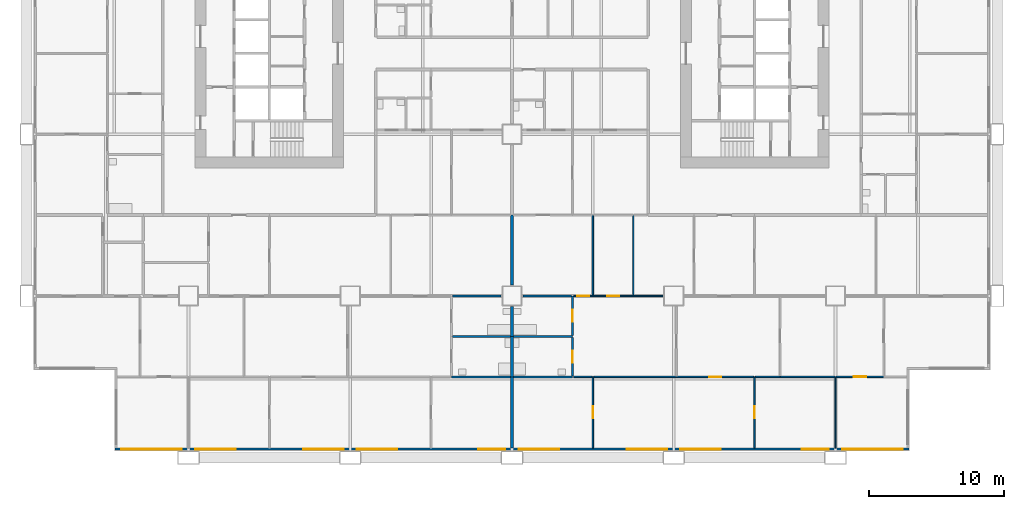
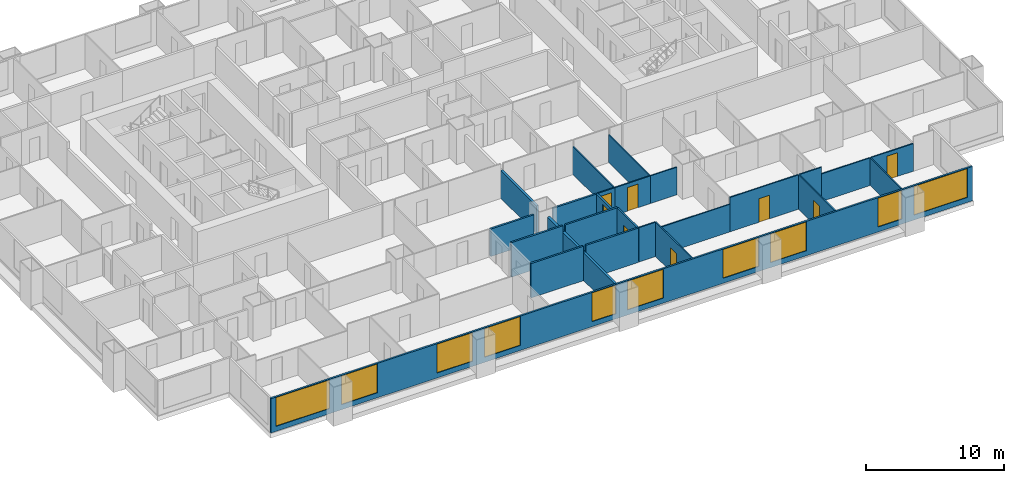
# One storey, part 5 of 14: 27 walls, 10 windows, 8 doors, 18 openings.
"""IFC4 building model written with IfcOpenShell, lengths in metres."""

from ifc_helpers import new_model, si_unit, direction, frame, frame_2d, origin, place, context, subcontext, project, spatial, rectangle, extrude, material, layer, layer_set, type_object, element, fill, save


model = new_model("IFC4")

# Units and contexts
model_context = context("Model", 3, precision=1e-05, world=origin(), true_north=direction((0.0, 1.0)))
body_context = subcontext(model_context, "Body", "Model", "MODEL_VIEW")
ifc_project = project(units=[si_unit("LENGTHUNIT", "METRE"), si_unit("AREAUNIT", "SQUARE_METRE"), si_unit("VOLUMEUNIT", "CUBIC_METRE"), si_unit("PLANEANGLEUNIT", "RADIAN"), si_unit("MASSUNIT", "GRAM", prefix="KILO")], contexts=[model_context])

# Site, building, storey
site_placement = place(None, origin())
site = spatial("IfcSite", under=ifc_project, at=site_placement, CompositionType="ELEMENT")
building_placement = place(site_placement, origin())
building = spatial("IfcBuilding", under=site, at=building_placement, Name="Kitamizu Gate Tower and Museum", CompositionType="ELEMENT")
storey_placement = place(building_placement, frame((0.0, 0.0, 61.050048828125)))
storey = spatial("IfcBuildingStorey", under=building, at=storey_placement, Name="L14", CompositionType="ELEMENT", Elevation=61.050048828125)

# Wall, opening, door
ifc_material_1 = material(Name="Gypsum board on galvanised stud")
ifc_layer_1 = layer(ifc_material_1, 0.10009765625)
ifc_layer_set_1 = layer_set([ifc_layer_1], Name="Gypsum board on galvanised stud")
wall_type_1 = type_object("IfcWallType", Name="Partition 100 NOT RATED", PredefinedType="PARTITIONING", material=ifc_layer_set_1)
wall_1_placement = place(storey_placement, frame((42.0, 0.719970703125, 0.0), z_axis=(0.0, 0.0, 1.0), x_axis=(0.0, 1.0, 0.0)))
wall_1 = element("IfcWall", 1, at=wall_1_placement, inside=storey, type_object=wall_type_1, Name="Partition L14-071", PredefinedType="PARTITIONING", context=body_context, shape_type="SweptSolid", body=[
    extrude(rectangle(XDim=5.280029296875, YDim=0.10009765625, at=frame_2d((2.64013671875, 0.0))), origin(), (0.0, 0.0, 1.0), 3.050048828125),
])
opening_1_placement = place(wall_1_placement, frame((2.18994140625, 0.0, 0.0)))
opening_1 = element("IfcOpeningElement", 2, at=opening_1_placement, cuts=wall_1, Name="Opening L14-032", PredefinedType="OPENING", context=body_context, shape_type="SweptSolid", body=[
    extrude(rectangle(XDim=0.89990234375, YDim=2.10009765625, at=frame_2d((0.449951171875, 1.050048828125))), frame((0.0, 0.06005859375, 0.0), z_axis=(0.0, -1.0, 0.0), x_axis=(1.0, 0.0, 0.0)), (0.0, 0.0, 1.0), 0.1201171875),
])
ifc_material_2 = material(Name="Timber door set", Category="wood")
door_type_1 = type_object("IfcDoorType", Name="Room door 900", OperationType="NOTDEFINED", PredefinedType="DOOR", material=ifc_material_2)
door_1_placement = place(opening_1_placement, origin())
door_1 = element("IfcDoor", 3, at=door_1_placement, inside=storey, type_object=door_type_1, Name="Door L14-032", OperationType="SINGLE_SWING_LEFT", OverallHeight=2.10009765625, OverallWidth=0.89990234375, PredefinedType="DOOR", context=body_context, shape_type="SweptSolid", body=[
    extrude(rectangle(XDim=0.89990234375, YDim=2.10009765625, at=frame_2d((0.449951171875, 1.050048828125))), frame((0.0, 0.02490234375, 0.0), z_axis=(0.0, -1.0, 0.0), x_axis=(1.0, 0.0, 0.0)), (0.0, 0.0, 1.0), 0.050048828125),
])
fill(opening_1, door_1)

# Wall
wall_2_placement = place(storey_placement, frame((41.949951171875, 6.0, 0.0), z_axis=(0.0, 0.0, 1.0), x_axis=(-1.0, 0.0, 0.0)))
element("IfcWall", 4, at=wall_2_placement, inside=storey, type_object=wall_type_1, Name="Partition L14-073", PredefinedType="PARTITIONING", context=body_context, shape_type="SweptSolid", body=[
    extrude(rectangle(XDim=1.375, YDim=0.10009765625, at=frame_2d((0.6875, 0.0))), origin(), (0.0, 0.0, 1.0), 3.050048828125),
])

# Wall, opening, door
wall_3_placement = place(storey_placement, frame((54.0, 0.719970703125, 0.0), z_axis=(0.0, 0.0, 1.0), x_axis=(0.0, 1.0, 0.0)))
wall_3 = element("IfcWall", 5, at=wall_3_placement, inside=storey, type_object=wall_type_1, Name="Partition L14-074", PredefinedType="PARTITIONING", context=body_context, shape_type="SweptSolid", body=[
    extrude(rectangle(XDim=5.280029296875, YDim=0.10009765625, at=frame_2d((2.64013671875, 0.0))), origin(), (0.0, 0.0, 1.0), 3.050048828125),
])
opening_2_placement = place(wall_3_placement, frame((2.18994140625, 0.0, 0.0)))
opening_2 = element("IfcOpeningElement", 6, at=opening_2_placement, cuts=wall_3, Name="Opening L14-033", PredefinedType="OPENING", context=body_context, shape_type="SweptSolid", body=[
    extrude(rectangle(XDim=0.89990234375, YDim=2.10009765625, at=frame_2d((0.449951171875, 1.050048828125))), frame((0.0, 0.06005859375, 0.0), z_axis=(0.0, -1.0, 0.0), x_axis=(1.0, 0.0, 0.0)), (0.0, 0.0, 1.0), 0.1201171875),
])
door_2_placement = place(opening_2_placement, frame((0.89990234375, 0.0, 0.0), x_axis=(-1.0, 0.0, 0.0)))
door_2 = element("IfcDoor", 7, at=door_2_placement, inside=storey, type_object=door_type_1, Name="Door L14-033", OperationType="SINGLE_SWING_LEFT", OverallHeight=2.10009765625, OverallWidth=0.89990234375, PredefinedType="DOOR", context=body_context, shape_type="SweptSolid", body=[
    extrude(rectangle(XDim=0.89990234375, YDim=2.10009765625, at=frame_2d((0.449951171875, 1.050048828125))), frame((0.0, 0.02490234375, 0.0), z_axis=(0.0, -1.0, 0.0), x_axis=(1.0, 0.0, 0.0)), (0.0, 0.0, 1.0), 0.050048828125),
])
fill(opening_2, door_2)

# Wall
wall_4_placement = place(storey_placement, frame((48.195068359375, 6.0, 0.0), z_axis=(0.0, 0.0, 1.0), x_axis=(-1.0, 0.0, 0.0)))
element("IfcWall", 8, at=wall_4_placement, inside=storey, type_object=wall_type_1, Name="Partition L14-075", PredefinedType="PARTITIONING", context=body_context, shape_type="SweptSolid", body=[
    extrude(rectangle(XDim=6.14501953125, YDim=0.10009765625, at=frame_2d((3.072509765625, 0.0))), origin(), (0.0, 0.0, 1.0), 2.449951171875),
])

# Wall, opening, door
wall_5_placement = place(storey_placement, frame((53.949951171875, 6.0, 0.0), z_axis=(0.0, 0.0, 1.0), x_axis=(-1.0, 0.0, 0.0)))
wall_5 = element("IfcWall", 9, at=wall_5_placement, inside=storey, type_object=wall_type_1, Name="Partition L14-076", PredefinedType="PARTITIONING", context=body_context, shape_type="SweptSolid", body=[
    extrude(rectangle(XDim=5.7548828125, YDim=0.10009765625, at=frame_2d((2.87744140625, 0.0))), origin(), (0.0, 0.0, 1.0), 3.050048828125),
])
opening_3_placement = place(wall_5_placement, frame((2.427490234375, 0.0, 0.0)))
opening_3 = element("IfcOpeningElement", 10, at=opening_3_placement, cuts=wall_5, Name="Opening L14-027", PredefinedType="OPENING", context=body_context, shape_type="SweptSolid", body=[
    extrude(rectangle(XDim=0.89990234375, YDim=2.10009765625, at=frame_2d((0.449951171875, 1.050048828125))), frame((0.0, 0.06005859375, 0.0), z_axis=(0.0, -1.0, 0.0), x_axis=(1.0, 0.0, 0.0)), (0.0, 0.0, 1.0), 0.1201171875),
])
door_3_placement = place(opening_3_placement, frame((0.89990234375, 0.0, 0.0), x_axis=(-1.0, 0.0, 0.0)))
door_3 = element("IfcDoor", 11, at=door_3_placement, inside=storey, type_object=door_type_1, Name="Door L14-027", OperationType="SINGLE_SWING_LEFT", OverallHeight=2.10009765625, OverallWidth=0.89990234375, PredefinedType="DOOR", context=body_context, shape_type="SweptSolid", body=[
    extrude(rectangle(XDim=0.89990234375, YDim=2.10009765625, at=frame_2d((0.449951171875, 1.050048828125))), frame((0.0, 0.02490234375, 0.0), z_axis=(0.0, -1.0, 0.0), x_axis=(1.0, 0.0, 0.0)), (0.0, 0.0, 1.0), 0.050048828125),
])
fill(opening_3, door_3)

# Walls
wall_6_placement = place(storey_placement, frame((60.0, 0.719970703125, 0.0), z_axis=(0.0, 0.0, 1.0), x_axis=(0.0, 1.0, 0.0)))
element("IfcWall", 12, at=wall_6_placement, inside=storey, type_object=wall_type_1, Name="Partition L14-077", PredefinedType="PARTITIONING", context=body_context, shape_type="SweptSolid", body=[
    extrude(rectangle(XDim=5.280029296875, YDim=0.10009765625, at=frame_2d((2.64013671875, 0.0))), origin(), (0.0, 0.0, 1.0), 2.449951171875),
])
wall_7_placement = place(storey_placement, frame((55.889892578125, 6.0, 0.0), z_axis=(0.0, 0.0, 1.0), x_axis=(-1.0, 0.0, 0.0)))
element("IfcWall", 13, at=wall_7_placement, inside=storey, type_object=wall_type_1, Name="Partition L14-078", PredefinedType="PARTITIONING", context=body_context, shape_type="SweptSolid", body=[
    extrude(rectangle(XDim=1.83984375, YDim=0.10009765625, at=frame_2d((0.919921875, 0.0))), origin(), (0.0, 0.0, 1.0), 3.050048828125),
])
wall_8_placement = place(storey_placement, frame((59.949951171875, 6.0, 0.0), z_axis=(0.0, 0.0, 1.0), x_axis=(-1.0, 0.0, 0.0)))
element("IfcWall", 14, at=wall_8_placement, inside=storey, type_object=wall_type_1, Name="Partition L14-079", PredefinedType="PARTITIONING", context=body_context, shape_type="SweptSolid", body=[
    extrude(rectangle(XDim=4.06005859375, YDim=0.10009765625, at=frame_2d((2.030029296875, 0.0))), origin(), (0.0, 0.0, 1.0), 2.449951171875),
])

# Wall, opening, door
wall_9_placement = place(storey_placement, frame((63.5849609375, 6.0, 0.0), z_axis=(0.0, 0.0, 1.0), x_axis=(-1.0, 0.0, 0.0)))
wall_9 = element("IfcWall", 15, at=wall_9_placement, inside=storey, type_object=wall_type_1, Name="Partition L14-080", PredefinedType="PARTITIONING", context=body_context, shape_type="SweptSolid", body=[
    extrude(rectangle(XDim=3.534912109375, YDim=0.10009765625, at=frame_2d((1.767578125, 0.0))), origin(), (0.0, 0.0, 1.0), 2.449951171875),
])
opening_4_placement = place(wall_9_placement, frame((1.3173828125, 0.0, 0.0)))
opening_4 = element("IfcOpeningElement", 16, at=opening_4_placement, cuts=wall_9, Name="Opening L14-034", PredefinedType="OPENING", context=body_context, shape_type="SweptSolid", body=[
    extrude(rectangle(XDim=0.89990234375, YDim=2.10009765625, at=frame_2d((0.449951171875, 1.050048828125))), frame((0.0, 0.06005859375, 0.0), z_axis=(0.0, -1.0, 0.0), x_axis=(1.0, 0.0, 0.0)), (0.0, 0.0, 1.0), 0.1201171875),
])
door_4_placement = place(opening_4_placement, origin())
door_4 = element("IfcDoor", 17, at=door_4_placement, inside=storey, type_object=door_type_1, Name="Door L14-034", OperationType="SINGLE_SWING_LEFT", OverallHeight=2.10009765625, OverallWidth=0.89990234375, PredefinedType="DOOR", context=body_context, shape_type="SweptSolid", body=[
    extrude(rectangle(XDim=0.89990234375, YDim=2.10009765625, at=frame_2d((0.449951171875, 1.050048828125))), frame((0.0, 0.02490234375, 0.0), z_axis=(0.0, -1.0, 0.0), x_axis=(1.0, 0.0, 0.0)), (0.0, 0.0, 1.0), 0.050048828125),
])
fill(opening_4, door_4)

wall_10_placement = place(storey_placement, frame((42.0, 12.0, 0.0), z_axis=(0.0, 0.0, 1.0), x_axis=(-1.0, 0.0, 0.0)))
wall_10 = element("IfcWall", 18, at=wall_10_placement, inside=storey, type_object=wall_type_1, Name="Partition L14-087", PredefinedType="PARTITIONING", context=body_context, shape_type="SweptSolid", body=[
    extrude(rectangle(XDim=1.425048828125, YDim=0.10009765625, at=frame_2d((0.71240234375, 0.0))), origin(), (0.0, 0.0, 1.0), 2.449951171875),
])
opening_5_placement = place(wall_10_placement, frame((0.262451171875, 0.0, 0.0)))
opening_5 = element("IfcOpeningElement", 19, at=opening_5_placement, cuts=wall_10, Name="Opening L14-036", PredefinedType="OPENING", context=body_context, shape_type="SweptSolid", body=[
    extrude(rectangle(XDim=0.89990234375, YDim=2.10009765625, at=frame_2d((0.449951171875, 1.050048828125))), frame((0.0, 0.06005859375, 0.0), z_axis=(0.0, -1.0, 0.0), x_axis=(1.0, 0.0, 0.0)), (0.0, 0.0, 1.0), 0.1201171875),
])
door_5_placement = place(opening_5_placement, frame((0.89990234375, 0.0, 0.0), x_axis=(-1.0, 0.0, 0.0)))
door_5 = element("IfcDoor", 20, at=door_5_placement, inside=storey, type_object=door_type_1, Name="Door L14-036", OperationType="SINGLE_SWING_LEFT", OverallHeight=2.10009765625, OverallWidth=0.89990234375, PredefinedType="DOOR", context=body_context, shape_type="SweptSolid", body=[
    extrude(rectangle(XDim=0.89990234375, YDim=2.10009765625, at=frame_2d((0.449951171875, 1.050048828125))), frame((0.0, 0.02490234375, 0.0), z_axis=(0.0, -1.0, 0.0), x_axis=(1.0, 0.0, 0.0)), (0.0, 0.0, 1.0), 0.050048828125),
])
fill(opening_5, door_5)

wall_11_placement = place(storey_placement, frame((45.0, 12.0, 0.0), z_axis=(0.0, 0.0, 1.0), x_axis=(-1.0, 0.0, 0.0)))
wall_11 = element("IfcWall", 21, at=wall_11_placement, inside=storey, type_object=wall_type_1, Name="Partition L14-088", PredefinedType="PARTITIONING", context=body_context, shape_type="SweptSolid", body=[
    extrude(rectangle(XDim=3.0, YDim=0.10009765625, at=frame_2d((1.5, 0.0))), origin(), (0.0, 0.0, 1.0), 2.449951171875),
])
opening_6_placement = place(wall_11_placement, frame((1.050048828125, 0.0, 0.0)))
opening_6 = element("IfcOpeningElement", 22, at=opening_6_placement, cuts=wall_11, Name="Opening L14-037", PredefinedType="OPENING", context=body_context, shape_type="SweptSolid", body=[
    extrude(rectangle(XDim=0.89990234375, YDim=2.10009765625, at=frame_2d((0.449951171875, 1.050048828125))), frame((0.0, 0.06005859375, 0.0), z_axis=(0.0, -1.0, 0.0), x_axis=(1.0, 0.0, 0.0)), (0.0, 0.0, 1.0), 0.1201171875),
])
door_6_placement = place(opening_6_placement, frame((0.89990234375, 0.0, 0.0), x_axis=(-1.0, 0.0, 0.0)))
door_6 = element("IfcDoor", 23, at=door_6_placement, inside=storey, type_object=door_type_1, Name="Door L14-037", OperationType="SINGLE_SWING_LEFT", OverallHeight=2.10009765625, OverallWidth=0.89990234375, PredefinedType="DOOR", context=body_context, shape_type="SweptSolid", body=[
    extrude(rectangle(XDim=0.89990234375, YDim=2.10009765625, at=frame_2d((0.449951171875, 1.050048828125))), frame((0.0, 0.02490234375, 0.0), z_axis=(0.0, -1.0, 0.0), x_axis=(1.0, 0.0, 0.0)), (0.0, 0.0, 1.0), 0.050048828125),
])
fill(opening_6, door_6)

# Walls
wall_12_placement = place(storey_placement, frame((47.199951171875, 12.0, 0.0), z_axis=(0.0, 0.0, 1.0), x_axis=(-1.0, 0.0, 0.0)))
element("IfcWall", 24, at=wall_12_placement, inside=storey, type_object=wall_type_1, Name="Partition L14-089", PredefinedType="PARTITIONING", context=body_context, shape_type="SweptSolid", body=[
    extrude(rectangle(XDim=2.199951171875, YDim=0.10009765625, at=frame_2d((1.10009765625, 0.0))), origin(), (0.0, 0.0, 1.0), 2.449951171875),
])
for number, where, z_axis, x_axis, name in (
    (25, (42.0, 12.050048828125, 0.0), (0.0, 0.0, 1.0), (0.0, 1.0, 0.0), "Partition L14-099"),
    (26, (45.0, 12.050048828125, 0.0), (0.0, 0.0, 1.0), (0.0, 1.0, 0.0), "Partition L14-102"),
):
    element("IfcWall", number, at=place(storey_placement, frame(where, z_axis=z_axis, x_axis=x_axis)), inside=storey, type_object=wall_type_1, Name=name, PredefinedType="PARTITIONING", context=body_context, shape_type="SweptSolid", body=[
        extrude(rectangle(XDim=5.949951171875, YDim=0.10009765625, at=frame_2d((2.97509765625, 0.0))), origin(), (0.0, 0.0, 1.0), 2.449951171875),
    ])
ifc_material_3 = material(Name="Gypsum board on galvanised stud")
ifc_layer_2 = layer(ifc_material_3, 0.14990234375)
ifc_layer_set_2 = layer_set([ifc_layer_2], Name="Gypsum board on galvanised stud")
wall_type_2 = type_object("IfcWallType", Name="Partition 150", PredefinedType="PARTITIONING", material=ifc_layer_set_2)
wall_13_placement = place(storey_placement, frame((35.89990234375, 6.0, 0.0), z_axis=(0.0, 0.0, 1.0), x_axis=(-1.0, 0.0, 0.0)))
element("IfcWall", 27, at=wall_13_placement, inside=storey, type_object=wall_type_2, Name="Partition L14-011", PredefinedType="PARTITIONING", context=body_context, shape_type="SweptSolid", body=[
    extrude(rectangle(XDim=4.39990234375, YDim=0.14990234375, at=frame_2d((2.199951171875, 0.0))), origin(), (0.0, 0.0, 1.0), 3.050048828125),
])
wall_14_placement = place(storey_placement, frame((35.89990234375, 9.0, 0.0), z_axis=(0.0, 0.0, 1.0), x_axis=(-1.0, 0.0, 0.0)))
element("IfcWall", 28, at=wall_14_placement, inside=storey, type_object=wall_type_2, Name="Partition L14-027", PredefinedType="PARTITIONING", context=body_context, shape_type="SweptSolid", body=[
    extrude(rectangle(XDim=4.324951171875, YDim=0.14990234375, at=frame_2d((2.16259765625, 0.0))), origin(), (0.0, 0.0, 1.0), 3.050048828125),
])
wall_15_placement = place(storey_placement, frame((35.199951171875, 12.0, 0.0), z_axis=(0.0, 0.0, 1.0), x_axis=(-1.0, 0.0, 0.0)))
element("IfcWall", 29, at=wall_15_placement, inside=storey, type_object=wall_type_2, Name="Partition L14-029", PredefinedType="PARTITIONING", context=body_context, shape_type="SweptSolid", body=[
    extrude(rectangle(XDim=3.625, YDim=0.14990234375, at=frame_2d((1.8125, 0.0))), origin(), (0.0, 0.0, 1.0), 2.449951171875),
])
for number, where, z_axis, x_axis, name in (
    (30, (40.5, 6.0, 0.0), (0.0, 0.0, 1.0), (-1.0, 0.0, 0.0), "Partition L14-072"),
    (31, (40.5, 9.0, 0.0), (0.0, 0.0, 1.0), (-1.0, 0.0, 0.0), "Partition L14-082"),
):
    element("IfcWall", number, at=place(storey_placement, frame(where, z_axis=z_axis, x_axis=x_axis)), inside=storey, type_object=wall_type_2, Name=name, PredefinedType="PARTITIONING", context=body_context, shape_type="SweptSolid", body=[
        extrude(rectangle(XDim=4.39990234375, YDim=0.14990234375, at=frame_2d((2.199951171875, 0.0))), origin(), (0.0, 0.0, 1.0), 3.050048828125),
    ])

# Wall, opening, door
wall_16_placement = place(storey_placement, frame((40.5, 6.074951171875, 0.0), z_axis=(0.0, 0.0, 1.0), x_axis=(0.0, 1.0, 0.0)))
wall_16 = element("IfcWall", 32, at=wall_16_placement, inside=storey, type_object=wall_type_2, Name="Partition L14-083", PredefinedType="PARTITIONING", context=body_context, shape_type="SweptSolid", body=[
    extrude(rectangle(XDim=2.85009765625, YDim=0.14990234375, at=frame_2d((1.425048828125, 0.0))), origin(), (0.0, 0.0, 1.0), 3.050048828125),
])
opening_7_placement = place(wall_16_placement, frame((0.97509765625, 0.0, 0.0)))
opening_7 = element("IfcOpeningElement", 33, at=opening_7_placement, cuts=wall_16, Name="Opening L14-031", PredefinedType="OPENING", context=body_context, shape_type="SweptSolid", body=[
    extrude(rectangle(XDim=0.89990234375, YDim=2.10009765625, at=frame_2d((0.449951171875, 1.050048828125))), frame((0.0, 0.0849609375, 0.0), z_axis=(0.0, -1.0, 0.0), x_axis=(1.0, 0.0, 0.0)), (0.0, 0.0, 1.0), 0.169921875),
])
ifc_material_4 = material(Name="Timber door set", Category="wood")
door_type_2 = type_object("IfcDoorType", Name="Bathroom door 900", OperationType="NOTDEFINED", PredefinedType="DOOR", material=ifc_material_4)
door_7_placement = place(opening_7_placement, origin())
door_7 = element("IfcDoor", 34, at=door_7_placement, inside=storey, type_object=door_type_2, Name="Bathroom door L14-031", OperationType="SINGLE_SWING_RIGHT", OverallHeight=2.10009765625, OverallWidth=0.89990234375, PredefinedType="DOOR", context=body_context, shape_type="SweptSolid", body=[
    extrude(rectangle(XDim=0.89990234375, YDim=2.10009765625, at=frame_2d((0.449951171875, 1.050048828125))), frame((0.0, 0.02490234375, 0.0), z_axis=(0.0, -1.0, 0.0), x_axis=(1.0, 0.0, 0.0)), (0.0, 0.0, 1.0), 0.050048828125),
])
fill(opening_7, door_7)

wall_17_placement = place(storey_placement, frame((40.5, 9.074951171875, 0.0), z_axis=(0.0, 0.0, 1.0), x_axis=(0.0, 1.0, 0.0)))
wall_17 = element("IfcWall", 35, at=wall_17_placement, inside=storey, type_object=wall_type_2, Name="Partition L14-084", PredefinedType="PARTITIONING", context=body_context, shape_type="SweptSolid", body=[
    extrude(rectangle(XDim=2.925048828125, YDim=0.14990234375, at=frame_2d((1.46240234375, 0.0))), origin(), (0.0, 0.0, 1.0), 2.449951171875),
])
opening_8_placement = place(wall_17_placement, frame((1.012451171875, 0.0, 0.0)))
opening_8 = element("IfcOpeningElement", 36, at=opening_8_placement, cuts=wall_17, Name="Opening L14-035", PredefinedType="OPENING", context=body_context, shape_type="SweptSolid", body=[
    extrude(rectangle(XDim=0.89990234375, YDim=2.10009765625, at=frame_2d((0.449951171875, 1.050048828125))), frame((0.0, 0.0849609375, 0.0), z_axis=(0.0, -1.0, 0.0), x_axis=(1.0, 0.0, 0.0)), (0.0, 0.0, 1.0), 0.169921875),
])
door_8_placement = place(opening_8_placement, origin())
door_8 = element("IfcDoor", 37, at=door_8_placement, inside=storey, type_object=door_type_2, Name="Bathroom door L14-035", OperationType="SINGLE_SWING_LEFT", OverallHeight=2.10009765625, OverallWidth=0.89990234375, PredefinedType="DOOR", context=body_context, shape_type="SweptSolid", body=[
    extrude(rectangle(XDim=0.89990234375, YDim=2.10009765625, at=frame_2d((0.449951171875, 1.050048828125))), frame((0.0, 0.02490234375, 0.0), z_axis=(0.0, -1.0, 0.0), x_axis=(1.0, 0.0, 0.0)), (0.0, 0.0, 1.0), 0.050048828125),
])
fill(opening_8, door_8)

# Walls
wall_18_placement = place(storey_placement, frame((40.425048828125, 12.0, 0.0), z_axis=(0.0, 0.0, 1.0), x_axis=(-1.0, 0.0, 0.0)))
element("IfcWall", 38, at=wall_18_placement, inside=storey, type_object=wall_type_2, Name="Partition L14-085", PredefinedType="PARTITIONING", context=body_context, shape_type="SweptSolid", body=[
    extrude(rectangle(XDim=3.625, YDim=0.14990234375, at=frame_2d((1.8125, 0.0))), origin(), (0.0, 0.0, 1.0), 2.449951171875),
])
ifc_material_5 = material(Name="Gypsum board on galvanised stud")
ifc_layer_3 = layer(ifc_material_5, 0.199951171875)
ifc_layer_set_3 = layer_set([ifc_layer_3], Name="Gypsum board on galvanised stud")
wall_type_3 = type_object("IfcWallType", Name="Partition 200", PredefinedType="PARTITIONING", material=ifc_layer_set_3)
wall_19_placement = place(storey_placement, frame((36.0, 0.719970703125, 0.0), z_axis=(0.0, 0.0, 1.0), x_axis=(0.0, 1.0, 0.0)))
element("IfcWall", 39, at=wall_19_placement, inside=storey, type_object=wall_type_3, Name="Partition L14-012", PredefinedType="PARTITIONING", context=body_context, shape_type="SweptSolid", body=[
    extrude(rectangle(XDim=5.280029296875, YDim=0.199951171875, at=frame_2d((2.64013671875, 0.0))), origin(), (0.0, 0.0, 1.0), 2.449951171875),
])
wall_20_placement = place(storey_placement, frame((36.0, 6.0, 0.0), z_axis=(0.0, 0.0, 1.0), x_axis=(0.0, 1.0, 0.0)))
element("IfcWall", 40, at=wall_20_placement, inside=storey, type_object=wall_type_3, Name="Partition L14-028", PredefinedType="PARTITIONING", context=body_context, shape_type="SweptSolid", body=[
    extrude(rectangle(XDim=3.0, YDim=0.199951171875, at=frame_2d((1.5, 0.0))), origin(), (0.0, 0.0, 1.0), 2.449951171875),
])
wall_21_placement = place(storey_placement, frame((36.0, 9.0, 0.0), z_axis=(0.0, 0.0, 1.0), x_axis=(0.0, 1.0, 0.0)))
element("IfcWall", 41, at=wall_21_placement, inside=storey, type_object=wall_type_3, Name="Partition L14-030", PredefinedType="PARTITIONING", context=body_context, shape_type="SweptSolid", body=[
    extrude(rectangle(XDim=2.199951171875, YDim=0.199951171875, at=frame_2d((1.10009765625, 0.0))), origin(), (0.0, 0.0, 1.0), 2.449951171875),
])
wall_22_placement = place(storey_placement, frame((36.0, 12.800048828125, 0.0), z_axis=(0.0, 0.0, 1.0), x_axis=(0.0, 1.0, 0.0)))
element("IfcWall", 42, at=wall_22_placement, inside=storey, type_object=wall_type_3, Name="Partition L14-051", PredefinedType="PARTITIONING", context=body_context, shape_type="SweptSolid", body=[
    extrude(rectangle(XDim=5.199951171875, YDim=0.199951171875, at=frame_2d((2.60009765625, 0.0))), origin(), (0.0, 0.0, 1.0), 2.449951171875),
])

# Wall, openings, windows
ifc_material_6 = material(Name="Bronze anodised aluminium frame with insulated spandrel and tinted glass", Category="aluminium")
ifc_layer_4 = layer(ifc_material_6, 0.14990234375)
ifc_layer_set_4 = layer_set([ifc_layer_4], Name="Bronze anodised aluminium frame with insulated spandrel and tinted glass")
wall_type_4 = type_object("IfcWallType", Name="WINDOW WALL 150 BRONZE FRAME EI 30", PredefinedType="ELEMENTEDWALL", material=ifc_layer_set_4)
wall_23_placement = place(storey_placement, frame((6.56005859375, 0.635009765625, 0.0), z_axis=(0.0, 0.0, 1.0), x_axis=(1.0, 0.0, 0.0)))
wall_23 = element("IfcWall", 43, at=wall_23_placement, inside=storey, type_object=wall_type_4, Name="Window wall south L14", PredefinedType="ELEMENTEDWALL", context=body_context, shape_type="SweptSolid", body=[
    extrude(rectangle(XDim=58.8798828125, YDim=0.14990234375, at=frame_2d((29.43994140625, 0.0))), origin(), (0.0, 0.0, 1.0), 3.050048828125),
])
opening_9_placement = place(wall_23_placement, frame((0.43994140625, 0.0, 0.449951171875)))
opening_9 = element("IfcOpeningElement", 44, at=opening_9_placement, cuts=wall_23, Name="Opening W15", PredefinedType="OPENING", context=body_context, shape_type="SweptSolid", body=[
    extrude(rectangle(XDim=4.5, YDim=2.550048828125, at=frame_2d((2.25, 1.27490234375))), frame((0.0, 0.0849609375, 0.0), z_axis=(0.0, -1.0, 0.0), x_axis=(1.0, 0.0, 0.0)), (0.0, 0.0, 1.0), 0.169921875),
])
opening_10_placement = place(wall_23_placement, frame((5.93994140625, 0.0, 0.449951171875)))
opening_10 = element("IfcOpeningElement", 45, at=opening_10_placement, cuts=wall_23, Name="Opening W33", PredefinedType="OPENING", context=body_context, shape_type="SweptSolid", body=[
    extrude(rectangle(XDim=3.0, YDim=2.550048828125, at=frame_2d((1.5, 1.27490234375))), frame((0.0, 0.0849609375, 0.0), z_axis=(0.0, -1.0, 0.0), x_axis=(1.0, 0.0, 0.0)), (0.0, 0.0, 1.0), 0.169921875),
])
opening_11_placement = place(wall_23_placement, frame((13.93994140625, 0.0, 0.449951171875)))
opening_11 = element("IfcOpeningElement", 46, at=opening_11_placement, cuts=wall_23, Name="Opening W33", PredefinedType="OPENING", context=body_context, shape_type="SweptSolid", body=[
    extrude(rectangle(XDim=3.0, YDim=2.550048828125, at=frame_2d((1.5, 1.27490234375))), frame((0.0, 0.0849609375, 0.0), z_axis=(0.0, -1.0, 0.0), x_axis=(1.0, 0.0, 0.0)), (0.0, 0.0, 1.0), 0.169921875),
])
opening_12_placement = place(wall_23_placement, frame((17.93994140625, 0.0, 0.449951171875)))
opening_12 = element("IfcOpeningElement", 47, at=opening_12_placement, cuts=wall_23, Name="Opening W33", PredefinedType="OPENING", context=body_context, shape_type="SweptSolid", body=[
    extrude(rectangle(XDim=3.0, YDim=2.550048828125, at=frame_2d((1.5, 1.27490234375))), frame((0.0, 0.0849609375, 0.0), z_axis=(0.0, -1.0, 0.0), x_axis=(1.0, 0.0, 0.0)), (0.0, 0.0, 1.0), 0.169921875),
])
opening_13_placement = place(wall_23_placement, frame((26.93994140625, 0.0, 0.449951171875)))
opening_13 = element("IfcOpeningElement", 48, at=opening_13_placement, cuts=wall_23, Name="Opening W2", PredefinedType="OPENING", context=body_context, shape_type="SweptSolid", body=[
    extrude(rectangle(XDim=2.0, YDim=2.550048828125, at=frame_2d((1.0, 1.27490234375))), frame((0.0, 0.0849609375, 0.0), z_axis=(0.0, -1.0, 0.0), x_axis=(1.0, 0.0, 0.0)), (0.0, 0.0, 1.0), 0.169921875),
])
opening_14_placement = place(wall_23_placement, frame((29.93994140625, 0.0, 0.449951171875)))
opening_14 = element("IfcOpeningElement", 49, at=opening_14_placement, cuts=wall_23, Name="Opening W33", PredefinedType="OPENING", context=body_context, shape_type="SweptSolid", body=[
    extrude(rectangle(XDim=3.0, YDim=2.550048828125, at=frame_2d((1.5, 1.27490234375))), frame((0.0, 0.0849609375, 0.0), z_axis=(0.0, -1.0, 0.0), x_axis=(1.0, 0.0, 0.0)), (0.0, 0.0, 1.0), 0.169921875),
])
opening_15_placement = place(wall_23_placement, frame((37.93994140625, 0.0, 0.449951171875)))
opening_15 = element("IfcOpeningElement", 50, at=opening_15_placement, cuts=wall_23, Name="Opening W33", PredefinedType="OPENING", context=body_context, shape_type="SweptSolid", body=[
    extrude(rectangle(XDim=3.0, YDim=2.550048828125, at=frame_2d((1.5, 1.27490234375))), frame((0.0, 0.0849609375, 0.0), z_axis=(0.0, -1.0, 0.0), x_axis=(1.0, 0.0, 0.0)), (0.0, 0.0, 1.0), 0.169921875),
])
opening_16_placement = place(wall_23_placement, frame((41.93994140625, 0.0, 0.449951171875)))
opening_16 = element("IfcOpeningElement", 51, at=opening_16_placement, cuts=wall_23, Name="Opening W33", PredefinedType="OPENING", context=body_context, shape_type="SweptSolid", body=[
    extrude(rectangle(XDim=3.0, YDim=2.550048828125, at=frame_2d((1.5, 1.27490234375))), frame((0.0, 0.0849609375, 0.0), z_axis=(0.0, -1.0, 0.0), x_axis=(1.0, 0.0, 0.0)), (0.0, 0.0, 1.0), 0.169921875),
])
opening_17_placement = place(wall_23_placement, frame((50.93994140625, 0.0, 0.449951171875)))
opening_17 = element("IfcOpeningElement", 52, at=opening_17_placement, cuts=wall_23, Name="Opening W2", PredefinedType="OPENING", context=body_context, shape_type="SweptSolid", body=[
    extrude(rectangle(XDim=2.0, YDim=2.550048828125, at=frame_2d((1.0, 1.27490234375))), frame((0.0, 0.0849609375, 0.0), z_axis=(0.0, -1.0, 0.0), x_axis=(1.0, 0.0, 0.0)), (0.0, 0.0, 1.0), 0.169921875),
])
opening_18_placement = place(wall_23_placement, frame((53.93994140625, 0.0, 0.449951171875)))
opening_18 = element("IfcOpeningElement", 53, at=opening_18_placement, cuts=wall_23, Name="Opening W15", PredefinedType="OPENING", context=body_context, shape_type="SweptSolid", body=[
    extrude(rectangle(XDim=4.5, YDim=2.550048828125, at=frame_2d((2.25, 1.27490234375))), frame((0.0, 0.0849609375, 0.0), z_axis=(0.0, -1.0, 0.0), x_axis=(1.0, 0.0, 0.0)), (0.0, 0.0, 1.0), 0.169921875),
])
ifc_material_7 = material(Name="Bronze anodised aluminium frame, tinted triple glazing", Category="aluminium")
window_type_1 = type_object("IfcWindowType", Name="WINDOW 2000 x 2550 SILL 450", PartitioningType="SINGLE_PANEL", PredefinedType="WINDOW", material=ifc_material_7)
window_1_placement = place(opening_13_placement, origin())
window_1 = element("IfcWindow", 54, at=window_1_placement, inside=storey, type_object=window_type_1, Name="Window W2 L14", OverallHeight=2.550048828125, OverallWidth=2.0, PartitioningType="SINGLE_PANEL", PredefinedType="WINDOW", context=body_context, shape_type="SweptSolid", body=[
    extrude(rectangle(XDim=2.0, YDim=2.550048828125, at=frame_2d((1.0, 1.27490234375))), frame((0.0, 0.030029296875, 0.0), z_axis=(0.0, -1.0, 0.0), x_axis=(1.0, 0.0, 0.0)), (0.0, 0.0, 1.0), 0.06005859375),
])
fill(opening_13, window_1)
window_2_placement = place(opening_17_placement, origin())
window_2 = element("IfcWindow", 55, at=window_2_placement, inside=storey, type_object=window_type_1, Name="Window W2 L14", OverallHeight=2.550048828125, OverallWidth=2.0, PartitioningType="SINGLE_PANEL", PredefinedType="WINDOW", context=body_context, shape_type="SweptSolid", body=[
    extrude(rectangle(XDim=2.0, YDim=2.550048828125, at=frame_2d((1.0, 1.27490234375))), frame((0.0, 0.030029296875, 0.0), z_axis=(0.0, -1.0, 0.0), x_axis=(1.0, 0.0, 0.0)), (0.0, 0.0, 1.0), 0.06005859375),
])
fill(opening_17, window_2)
ifc_material_8 = material(Name="Bronze anodised aluminium frame, tinted triple glazing", Category="aluminium")
window_type_2 = type_object("IfcWindowType", Name="WINDOW 3000 x 2550 SILL 450", PartitioningType="SINGLE_PANEL", PredefinedType="WINDOW", material=ifc_material_8)
window_3_placement = place(opening_10_placement, origin())
window_3 = element("IfcWindow", 56, at=window_3_placement, inside=storey, type_object=window_type_2, Name="Window W33 L14", OverallHeight=2.550048828125, OverallWidth=3.0, PartitioningType="SINGLE_PANEL", PredefinedType="WINDOW", context=body_context, shape_type="SweptSolid", body=[
    extrude(rectangle(XDim=3.0, YDim=2.550048828125, at=frame_2d((1.5, 1.27490234375))), frame((0.0, 0.030029296875, 0.0), z_axis=(0.0, -1.0, 0.0), x_axis=(1.0, 0.0, 0.0)), (0.0, 0.0, 1.0), 0.06005859375),
])
fill(opening_10, window_3)
window_4_placement = place(opening_11_placement, origin())
window_4 = element("IfcWindow", 57, at=window_4_placement, inside=storey, type_object=window_type_2, Name="Window W33 L14", OverallHeight=2.550048828125, OverallWidth=3.0, PartitioningType="SINGLE_PANEL", PredefinedType="WINDOW", context=body_context, shape_type="SweptSolid", body=[
    extrude(rectangle(XDim=3.0, YDim=2.550048828125, at=frame_2d((1.5, 1.27490234375))), frame((0.0, 0.030029296875, 0.0), z_axis=(0.0, -1.0, 0.0), x_axis=(1.0, 0.0, 0.0)), (0.0, 0.0, 1.0), 0.06005859375),
])
fill(opening_11, window_4)
window_5_placement = place(opening_12_placement, origin())
window_5 = element("IfcWindow", 58, at=window_5_placement, inside=storey, type_object=window_type_2, Name="Window W33 L14", OverallHeight=2.550048828125, OverallWidth=3.0, PartitioningType="SINGLE_PANEL", PredefinedType="WINDOW", context=body_context, shape_type="SweptSolid", body=[
    extrude(rectangle(XDim=3.0, YDim=2.550048828125, at=frame_2d((1.5, 1.27490234375))), frame((0.0, 0.030029296875, 0.0), z_axis=(0.0, -1.0, 0.0), x_axis=(1.0, 0.0, 0.0)), (0.0, 0.0, 1.0), 0.06005859375),
])
fill(opening_12, window_5)
window_6_placement = place(opening_14_placement, origin())
window_6 = element("IfcWindow", 59, at=window_6_placement, inside=storey, type_object=window_type_2, Name="Window W33 L14", OverallHeight=2.550048828125, OverallWidth=3.0, PartitioningType="SINGLE_PANEL", PredefinedType="WINDOW", context=body_context, shape_type="SweptSolid", body=[
    extrude(rectangle(XDim=3.0, YDim=2.550048828125, at=frame_2d((1.5, 1.27490234375))), frame((0.0, 0.030029296875, 0.0), z_axis=(0.0, -1.0, 0.0), x_axis=(1.0, 0.0, 0.0)), (0.0, 0.0, 1.0), 0.06005859375),
])
fill(opening_14, window_6)
window_7_placement = place(opening_15_placement, origin())
window_7 = element("IfcWindow", 60, at=window_7_placement, inside=storey, type_object=window_type_2, Name="Window W33 L14", OverallHeight=2.550048828125, OverallWidth=3.0, PartitioningType="SINGLE_PANEL", PredefinedType="WINDOW", context=body_context, shape_type="SweptSolid", body=[
    extrude(rectangle(XDim=3.0, YDim=2.550048828125, at=frame_2d((1.5, 1.27490234375))), frame((0.0, 0.030029296875, 0.0), z_axis=(0.0, -1.0, 0.0), x_axis=(1.0, 0.0, 0.0)), (0.0, 0.0, 1.0), 0.06005859375),
])
fill(opening_15, window_7)
window_8_placement = place(opening_16_placement, origin())
window_8 = element("IfcWindow", 61, at=window_8_placement, inside=storey, type_object=window_type_2, Name="Window W33 L14", OverallHeight=2.550048828125, OverallWidth=3.0, PartitioningType="SINGLE_PANEL", PredefinedType="WINDOW", context=body_context, shape_type="SweptSolid", body=[
    extrude(rectangle(XDim=3.0, YDim=2.550048828125, at=frame_2d((1.5, 1.27490234375))), frame((0.0, 0.030029296875, 0.0), z_axis=(0.0, -1.0, 0.0), x_axis=(1.0, 0.0, 0.0)), (0.0, 0.0, 1.0), 0.06005859375),
])
fill(opening_16, window_8)
ifc_material_9 = material(Name="Bronze anodised aluminium frame, tinted triple glazing", Category="aluminium")
window_type_3 = type_object("IfcWindowType", Name="WINDOW 4500 x 2550 SILL 450", PartitioningType="SINGLE_PANEL", PredefinedType="WINDOW", material=ifc_material_9)
window_9_placement = place(opening_9_placement, origin())
window_9 = element("IfcWindow", 62, at=window_9_placement, inside=storey, type_object=window_type_3, Name="Window W15 L14", OverallHeight=2.550048828125, OverallWidth=4.5, PartitioningType="SINGLE_PANEL", PredefinedType="WINDOW", context=body_context, shape_type="SweptSolid", body=[
    extrude(rectangle(XDim=4.5, YDim=2.550048828125, at=frame_2d((2.25, 1.27490234375))), frame((0.0, 0.030029296875, 0.0), z_axis=(0.0, -1.0, 0.0), x_axis=(1.0, 0.0, 0.0)), (0.0, 0.0, 1.0), 0.06005859375),
])
fill(opening_9, window_9)
window_10_placement = place(opening_18_placement, origin())
window_10 = element("IfcWindow", 63, at=window_10_placement, inside=storey, type_object=window_type_3, Name="Window W15 L14", OverallHeight=2.550048828125, OverallWidth=4.5, PartitioningType="SINGLE_PANEL", PredefinedType="WINDOW", context=body_context, shape_type="SweptSolid", body=[
    extrude(rectangle(XDim=4.5, YDim=2.550048828125, at=frame_2d((2.25, 1.27490234375))), frame((0.0, 0.030029296875, 0.0), z_axis=(0.0, -1.0, 0.0), x_axis=(1.0, 0.0, 0.0)), (0.0, 0.0, 1.0), 0.06005859375),
])
fill(opening_18, window_10)

save(model, "model.ifc")
